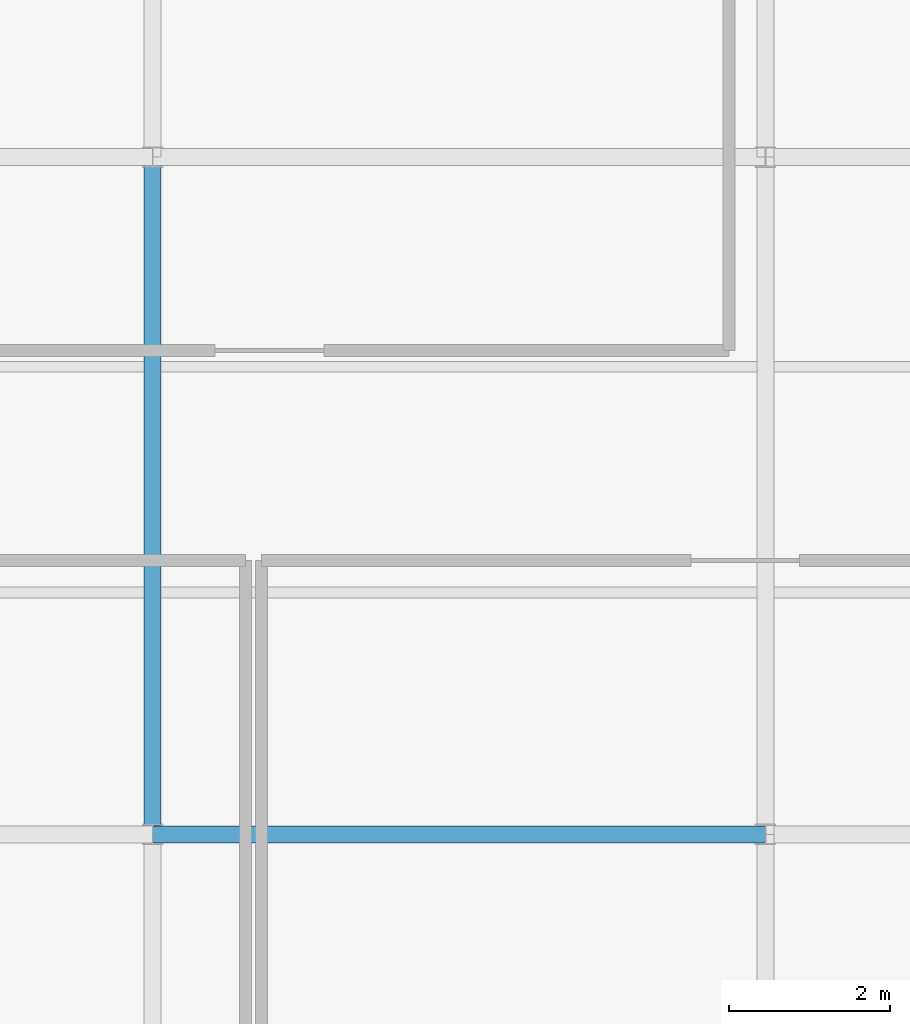
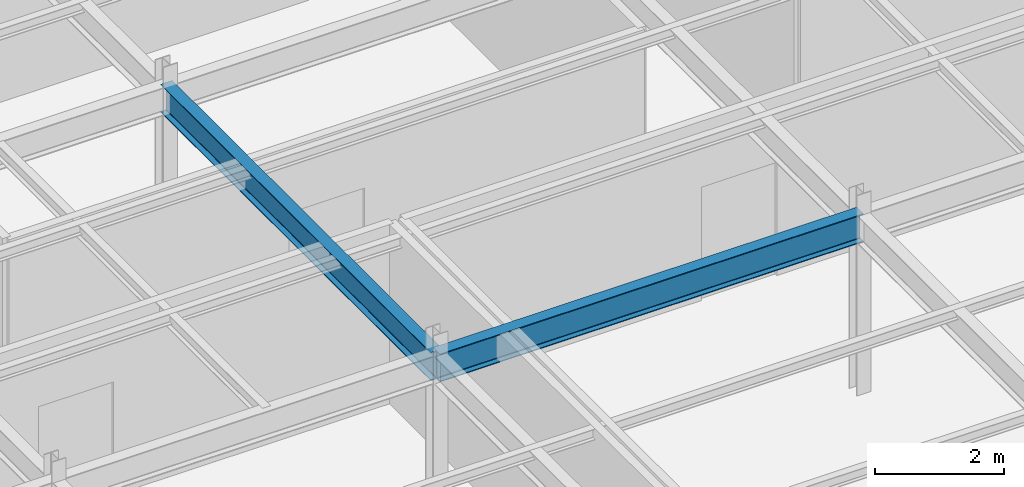
# One storey, part 9 of 35: 2 beams.
"""IFC4 building model written with IfcOpenShell, lengths in metres."""

from ifc_helpers import new_model, si_unit, direction, frame, origin, origin_2d, place, context, subcontext, project, spatial, i_section, extrude, source, transform, mapped, material, material_profile, profile_set, type_object, type_shapes, element, save


model = new_model("IFC4")

# Units and contexts
model_context = context("Model", 3, precision=1e-05, world=origin(), true_north=direction((0.0, 1.0)))
body_context = subcontext(model_context, "Body", "Model", "MODEL_VIEW")
ifc_project = project(units=[si_unit("LENGTHUNIT", "METRE"), si_unit("AREAUNIT", "SQUARE_METRE"), si_unit("VOLUMEUNIT", "CUBIC_METRE"), si_unit("PLANEANGLEUNIT", "RADIAN"), si_unit("MASSUNIT", "GRAM", prefix="KILO")], contexts=[model_context])

# Site, building, storey
site_placement = place(None, origin())
site = spatial("IfcSite", under=ifc_project, at=site_placement, CompositionType="ELEMENT")
building_placement = place(site_placement, origin())
building = spatial("IfcBuilding", under=site, at=building_placement, Name="Tolvann Quenvar Hotel", CompositionType="ELEMENT")
storey_placement = place(building_placement, frame((0.0, 0.0, 309.949951171875)))
storey = spatial("IfcBuildingStorey", under=building, at=storey_placement, Name="L82", CompositionType="ELEMENT", Elevation=309.949951171875)

# Beams
ifc_material = material(Name="Steel Grade 350", Category="steel")
ifc_material_profile = material_profile(ifc_material, i_section(OverallWidth=0.208984375, OverallDepth=0.532958984375, WebThickness=0.01025390625, FlangeThickness=0.015625, FilletRadius=0.013916015625, at=origin_2d()), Name="530UB92")
ifc_profile_set = profile_set([ifc_material_profile], Name="Steel Grade 350")
beam_type = type_object("IfcBeamType", Name="BM_GIRD_530UB92", PredefinedType="BEAM", material=ifc_profile_set)
shared_shape_1 = source(origin(), body_context, "Body", "SweptSolid", [
    extrude(i_section(OverallWidth=0.208984375, OverallDepth=0.532958984375, WebThickness=0.01025390625, FlangeThickness=0.015625, FilletRadius=0.013916015625, at=origin_2d()), origin(), (0.0, 0.0, 1.0), 8.39990234375),
])
beam_1_placement = place(storey_placement, frame((14.449951171875, 16.0, 3.133544921875), z_axis=(0.0, 1.0, 0.0), x_axis=(-1.0, 0.0, 0.0)))
element("IfcBeam", 1, at=beam_1_placement, inside=storey, type_object=beam_type, Name="BM-L82-NS-D4-D5", PredefinedType="BEAM", context=body_context, shape_type="MappedRepresentation", body=[
    mapped(shared_shape_1, transform((0.0, 0.0, 0.0), x_axis=(1.0, 0.0, 0.0), y_axis=(0.0, 1.0, 0.0), z_axis=(0.0, 0.0, 1.0), scale=1.0)),
])
shared_shape_2 = source(origin(), body_context, "Body", "SweptSolid", [
    extrude(i_section(OverallWidth=0.208984375, OverallDepth=0.532958984375, WebThickness=0.01025390625, FlangeThickness=0.015625, FilletRadius=0.013916015625, at=origin_2d()), origin(), (0.0, 0.0, 1.0), 7.60009765625),
])
type_shapes(beam_type, [shared_shape_1, shared_shape_2])
beam_2_placement = place(storey_placement, frame((14.449951171875, 16.0, 3.133544921875), z_axis=(1.0, 0.0, 0.0), x_axis=(0.0, 1.0, 0.0)))
element("IfcBeam", 2, at=beam_2_placement, inside=storey, type_object=beam_type, Name="BM-L82-EW-4-D4-E4", PredefinedType="BEAM", context=body_context, shape_type="MappedRepresentation", body=[
    mapped(shared_shape_2, transform((0.0, 0.0, 0.0), x_axis=(1.0, 0.0, 0.0), y_axis=(0.0, 1.0, 0.0), z_axis=(0.0, 0.0, 1.0), scale=1.0)),
])

save(model, "model.ifc")
